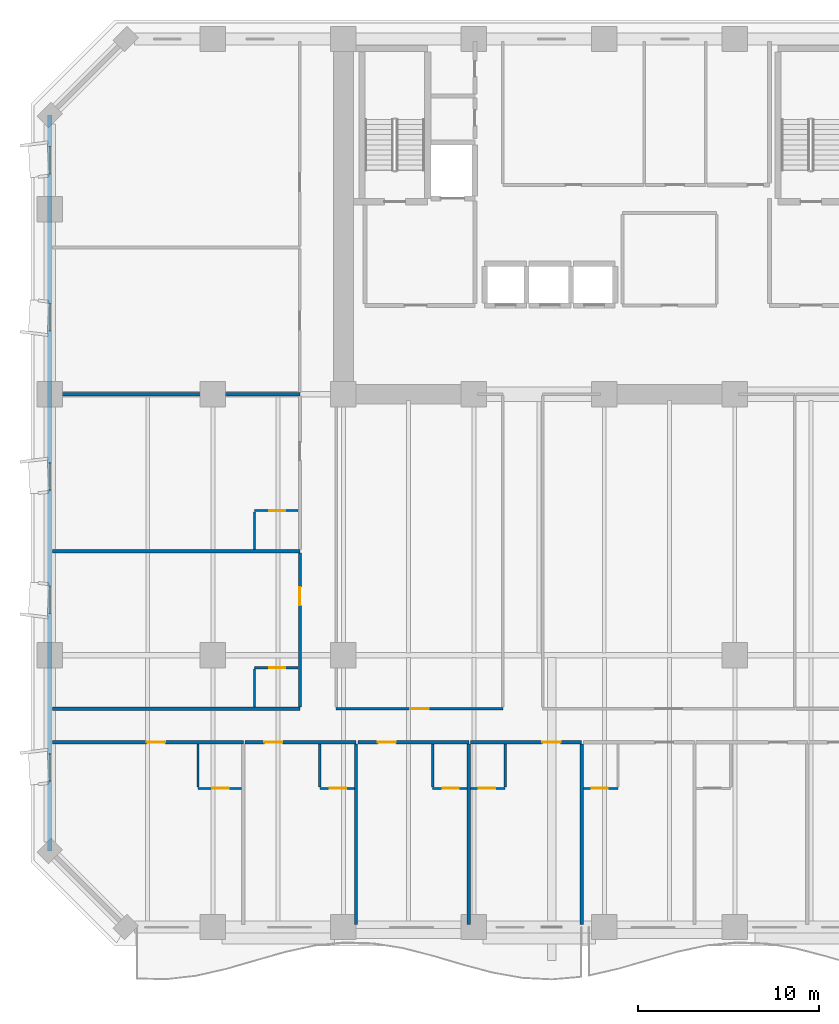
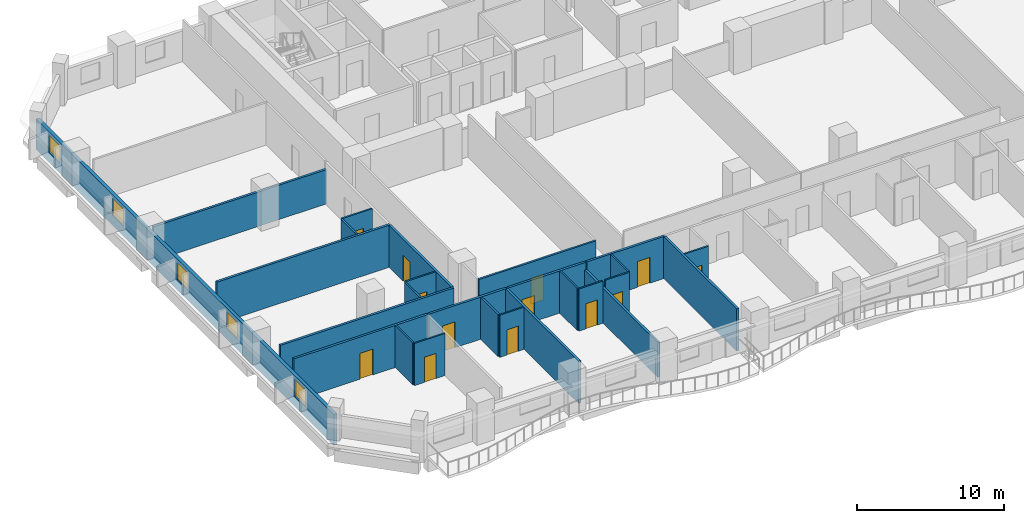
# One storey, part 4 of 15: 26 walls, 13 doors, 5 windows, 18 openings.
"""IFC4 building model written with IfcOpenShell, lengths in metres."""

from ifc_helpers import new_model, si_unit, direction, frame, frame_2d, origin, place, context, subcontext, project, spatial, rectangle, extrude, material, layer, layer_set, type_object, element, fill, save


model = new_model("IFC4")

# Units and contexts
model_context = context("Model", 3, precision=1e-05, world=origin(), true_north=direction((0.0, 1.0)))
body_context = subcontext(model_context, "Body", "Model", "MODEL_VIEW")
ifc_project = project(units=[si_unit("LENGTHUNIT", "METRE"), si_unit("AREAUNIT", "SQUARE_METRE"), si_unit("VOLUMEUNIT", "CUBIC_METRE"), si_unit("PLANEANGLEUNIT", "RADIAN"), si_unit("MASSUNIT", "GRAM", prefix="KILO")], contexts=[model_context])

# Site, building, storey
site_placement = place(None, origin())
site = spatial("IfcSite", under=ifc_project, at=site_placement, CompositionType="ELEMENT")
building_placement = place(site_placement, origin())
building = spatial("IfcBuilding", under=site, at=building_placement, Name="Kaelvorn Grand Hotel", CompositionType="ELEMENT")
storey_placement = place(building_placement, frame((0.0, 0.0, 42.64990234375)))
storey = spatial("IfcBuildingStorey", under=building, at=storey_placement, Name="L08", CompositionType="ELEMENT", Elevation=42.64990234375)

# Wall, openings, windows
ifc_material_1 = material(Name="Concrete C40/50", Category="concrete")
ifc_layer_1 = layer(ifc_material_1, 0.260009765625)
ifc_layer_set_1 = layer_set([ifc_layer_1], Name="Concrete C40/50")
wall_type_1 = type_object("IfcWallType", Name="WL-EXT-260-C40", PredefinedType="SOLIDWALL", material=ifc_layer_set_1)
wall_1_placement = place(storey_placement, frame((0.0, 44.800048828125, 0.0), z_axis=(0.0, 0.0, 1.0), x_axis=(0.0, -1.0, 0.0)))
wall_1 = element("IfcWall", 1, at=wall_1_placement, inside=storey, type_object=wall_type_1, Name="L08 Exterior Architectural Concrete Wall 07", PredefinedType="SOLIDWALL", context=body_context, shape_type="SweptSolid", body=[
    extrude(rectangle(XDim=40.60009765625, YDim=0.260009765625, at=frame_2d((20.300048828125, 0.0))), origin(), (0.0, 0.0, 1.0), 2.56005859375),
])
opening_1_placement = place(wall_1_placement, frame((35.25, 0.0, 0.85009765625)))
opening_1 = element("IfcOpeningElement", 2, at=opening_1_placement, cuts=wall_1, Name="Opening W10", PredefinedType="OPENING", context=body_context, shape_type="SweptSolid", body=[
    extrude(rectangle(XDim=1.5, YDim=1.39990234375, at=frame_2d((0.75, 0.699951171875))), frame((0.0, 0.14013671875, 0.0), z_axis=(0.0, -1.0, 0.0), x_axis=(1.0, 0.0, 0.0)), (0.0, 0.0, 1.0), 0.280029296875),
])
opening_2_placement = place(wall_1_placement, frame((25.985107421875, 0.0, 0.85009765625)))
opening_2 = element("IfcOpeningElement", 3, at=opening_2_placement, cuts=wall_1, Name="Opening W10", PredefinedType="OPENING", context=body_context, shape_type="SweptSolid", body=[
    extrude(rectangle(XDim=1.5, YDim=1.39990234375, at=frame_2d((0.75, 0.699951171875))), frame((0.0, 0.14013671875, 0.0), z_axis=(0.0, -1.0, 0.0), x_axis=(1.0, 0.0, 0.0)), (0.0, 0.0, 1.0), 0.280029296875),
])
opening_3_placement = place(wall_1_placement, frame((19.18505859375, 0.0, 0.85009765625)))
opening_3 = element("IfcOpeningElement", 4, at=opening_3_placement, cuts=wall_1, Name="Opening W10", PredefinedType="OPENING", context=body_context, shape_type="SweptSolid", body=[
    extrude(rectangle(XDim=1.5, YDim=1.39990234375, at=frame_2d((0.75, 0.699951171875))), frame((0.0, 0.14013671875, 0.0), z_axis=(0.0, -1.0, 0.0), x_axis=(1.0, 0.0, 0.0)), (0.0, 0.0, 1.0), 0.280029296875),
])
opening_4_placement = place(wall_1_placement, frame((10.39990234375, 0.0, 0.85009765625)))
opening_4 = element("IfcOpeningElement", 5, at=opening_4_placement, cuts=wall_1, Name="Opening W10", PredefinedType="OPENING", context=body_context, shape_type="SweptSolid", body=[
    extrude(rectangle(XDim=1.5, YDim=1.39990234375, at=frame_2d((0.75, 0.699951171875))), frame((0.0, 0.14013671875, 0.0), z_axis=(0.0, -1.0, 0.0), x_axis=(1.0, 0.0, 0.0)), (0.0, 0.0, 1.0), 0.280029296875),
])
opening_5_placement = place(wall_1_placement, frame((1.735107421875, 0.0, 0.85009765625)))
opening_5 = element("IfcOpeningElement", 6, at=opening_5_placement, cuts=wall_1, Name="Opening W10", PredefinedType="OPENING", context=body_context, shape_type="SweptSolid", body=[
    extrude(rectangle(XDim=1.5, YDim=1.39990234375, at=frame_2d((0.75, 0.699951171875))), frame((0.0, 0.14013671875, 0.0), z_axis=(0.0, -1.0, 0.0), x_axis=(1.0, 0.0, 0.0)), (0.0, 0.0, 1.0), 0.280029296875),
])
ifc_material_2 = material(Name="Laminated Low-E Glass", Category="glass")
window_type = type_object("IfcWindowType", Name="WIN-COR-1500x1400", PartitioningType="SINGLE_PANEL", PredefinedType="WINDOW", material=ifc_material_2)
window_1_placement = place(opening_1_placement, origin())
window_1 = element("IfcWindow", 7, at=window_1_placement, inside=storey, type_object=window_type, Name="L08 W Wing Tilted-Frame Ribbon Window W01", OverallHeight=1.39990234375, OverallWidth=1.5, PartitioningType="SINGLE_PANEL", PredefinedType="WINDOW", context=body_context, shape_type="SweptSolid", body=[
    extrude(rectangle(XDim=1.5, YDim=1.39990234375, at=frame_2d((0.75, 0.699951171875))), frame((0.0, 0.030029296875, 0.0), z_axis=(0.0, -1.0, 0.0), x_axis=(1.0, 0.0, 0.0)), (0.0, 0.0, 1.0), 0.06005859375),
])
fill(opening_1, window_1)
window_2_placement = place(opening_2_placement, origin())
window_2 = element("IfcWindow", 8, at=window_2_placement, inside=storey, type_object=window_type, Name="L08 W Wing Tilted-Frame Ribbon Window W02", OverallHeight=1.39990234375, OverallWidth=1.5, PartitioningType="SINGLE_PANEL", PredefinedType="WINDOW", context=body_context, shape_type="SweptSolid", body=[
    extrude(rectangle(XDim=1.5, YDim=1.39990234375, at=frame_2d((0.75, 0.699951171875))), frame((0.0, 0.030029296875, 0.0), z_axis=(0.0, -1.0, 0.0), x_axis=(1.0, 0.0, 0.0)), (0.0, 0.0, 1.0), 0.06005859375),
])
fill(opening_2, window_2)
window_3_placement = place(opening_3_placement, origin())
window_3 = element("IfcWindow", 9, at=window_3_placement, inside=storey, type_object=window_type, Name="L08 W Wing Tilted-Frame Ribbon Window W03", OverallHeight=1.39990234375, OverallWidth=1.5, PartitioningType="SINGLE_PANEL", PredefinedType="WINDOW", context=body_context, shape_type="SweptSolid", body=[
    extrude(rectangle(XDim=1.5, YDim=1.39990234375, at=frame_2d((0.75, 0.699951171875))), frame((0.0, 0.030029296875, 0.0), z_axis=(0.0, -1.0, 0.0), x_axis=(1.0, 0.0, 0.0)), (0.0, 0.0, 1.0), 0.06005859375),
])
fill(opening_3, window_3)
window_4_placement = place(opening_4_placement, origin())
window_4 = element("IfcWindow", 10, at=window_4_placement, inside=storey, type_object=window_type, Name="L08 W Wing Tilted-Frame Ribbon Window W04", OverallHeight=1.39990234375, OverallWidth=1.5, PartitioningType="SINGLE_PANEL", PredefinedType="WINDOW", context=body_context, shape_type="SweptSolid", body=[
    extrude(rectangle(XDim=1.5, YDim=1.39990234375, at=frame_2d((0.75, 0.699951171875))), frame((0.0, 0.030029296875, 0.0), z_axis=(0.0, -1.0, 0.0), x_axis=(1.0, 0.0, 0.0)), (0.0, 0.0, 1.0), 0.06005859375),
])
fill(opening_4, window_4)
window_5_placement = place(opening_5_placement, origin())
window_5 = element("IfcWindow", 11, at=window_5_placement, inside=storey, type_object=window_type, Name="L08 W Wing Tilted-Frame Ribbon Window W05", OverallHeight=1.39990234375, OverallWidth=1.5, PartitioningType="SINGLE_PANEL", PredefinedType="WINDOW", context=body_context, shape_type="SweptSolid", body=[
    extrude(rectangle(XDim=1.5, YDim=1.39990234375, at=frame_2d((0.75, 0.699951171875))), frame((0.0, 0.030029296875, 0.0), z_axis=(0.0, -1.0, 0.0), x_axis=(1.0, 0.0, 0.0)), (0.0, 0.0, 1.0), 0.06005859375),
])
fill(opening_5, window_5)

# Wall, opening, door
ifc_material_3 = material(Name="Moisture-Resistant Tile & Stud Board")
ifc_layer_2 = layer(ifc_material_3, 0.125)
ifc_layer_set_2 = layer_set([ifc_layer_2], Name="Moisture-Resistant Tile & Stud Board")
wall_type_2 = type_object("IfcWallType", Name="WL-PART-125-WET", PredefinedType="PARTITIONING", material=ifc_layer_set_2)
wall_2_placement = place(storey_placement, frame((8.1748046875, 7.64990234375, 0.0), z_axis=(0.0, 0.0, 1.0), x_axis=(1.0, 0.0, 0.0)))
wall_2 = element("IfcWall", 12, at=wall_2_placement, inside=storey, type_object=wall_type_2, Name="L08 En-suite Bathroom L08-01 S Partition", PredefinedType="PARTITIONING", context=body_context, shape_type="SweptSolid", body=[
    extrude(rectangle(XDim=2.405029296875, YDim=0.125, at=frame_2d((1.20263671875, 0.0))), origin(), (0.0, 0.0, 1.0), 3.510009765625),
])
opening_6_placement = place(wall_2_placement, frame((0.800048828125, 0.0, 0.0)))
opening_6 = element("IfcOpeningElement", 13, at=opening_6_placement, cuts=wall_2, Name="Opening DI4", PredefinedType="OPENING", context=body_context, shape_type="SweptSolid", body=[
    extrude(rectangle(XDim=0.89990234375, YDim=2.10009765625, at=frame_2d((0.449951171875, 1.050048828125))), frame((0.0, 0.072509765625, 0.0), z_axis=(0.0, -1.0, 0.0), x_axis=(1.0, 0.0, 0.0)), (0.0, 0.0, 1.0), 0.14501953125),
])
ifc_material_4 = material(Name="Timber Veneer Leaf", Category="wood")
door_type_1 = type_object("IfcDoorType", Name="DR-INT-BATH-900x2100", OperationType="NOTDEFINED", PredefinedType="DOOR", material=ifc_material_4)
door_1_placement = place(opening_6_placement, origin())
door_1 = element("IfcDoor", 14, at=door_1_placement, inside=storey, type_object=door_type_1, Name="L08 En-suite Bathroom L08-01 Door", OperationType="SINGLE_SWING_RIGHT", OverallHeight=2.10009765625, OverallWidth=0.89990234375, PredefinedType="DOOR", context=body_context, shape_type="SweptSolid", body=[
    extrude(rectangle(XDim=0.89990234375, YDim=2.10009765625, at=frame_2d((0.449951171875, 1.050048828125))), frame((0.0, 0.02490234375, 0.0), z_axis=(0.0, -1.0, 0.0), x_axis=(1.0, 0.0, 0.0)), (0.0, 0.0, 1.0), 0.050048828125),
])
fill(opening_6, door_1)

# Wall
wall_3_placement = place(storey_placement, frame((8.1748046875, 7.717529296875, 0.0), z_axis=(0.0, 0.0, 1.0), x_axis=(0.0, 1.0, 0.0)))
element("IfcWall", 15, at=wall_3_placement, inside=storey, type_object=wall_type_2, Name="L08 En-suite Bathroom L08-01 W Partition", PredefinedType="PARTITIONING", context=body_context, shape_type="SweptSolid", body=[
    extrude(rectangle(XDim=2.387451171875, YDim=0.125, at=frame_2d((1.19384765625, 0.0))), origin(), (0.0, 0.0, 1.0), 3.510009765625),
])

# Wall, opening, door
wall_4_placement = place(storey_placement, frame((14.899658203125, 7.64990234375, 0.0), z_axis=(0.0, 0.0, 1.0), x_axis=(1.0, 0.0, 0.0)))
wall_4 = element("IfcWall", 16, at=wall_4_placement, inside=storey, type_object=wall_type_2, Name="L08 En-suite Bathroom L08-02 S Partition", PredefinedType="PARTITIONING", context=body_context, shape_type="SweptSolid", body=[
    extrude(rectangle(XDim=1.905029296875, YDim=0.125, at=frame_2d((0.95263671875, 0.0))), origin(), (0.0, 0.0, 1.0), 3.510009765625),
])
opening_7_placement = place(wall_4_placement, frame((0.550048828125, 0.0, 0.0)))
opening_7 = element("IfcOpeningElement", 17, at=opening_7_placement, cuts=wall_4, Name="Opening DI4", PredefinedType="OPENING", context=body_context, shape_type="SweptSolid", body=[
    extrude(rectangle(XDim=0.89990234375, YDim=2.10009765625, at=frame_2d((0.449951171875, 1.050048828125))), frame((0.0, 0.072509765625, 0.0), z_axis=(0.0, -1.0, 0.0), x_axis=(1.0, 0.0, 0.0)), (0.0, 0.0, 1.0), 0.14501953125),
])
door_2_placement = place(opening_7_placement, origin())
door_2 = element("IfcDoor", 18, at=door_2_placement, inside=storey, type_object=door_type_1, Name="L08 En-suite Bathroom L08-02 Door", OperationType="SINGLE_SWING_RIGHT", OverallHeight=2.10009765625, OverallWidth=0.89990234375, PredefinedType="DOOR", context=body_context, shape_type="SweptSolid", body=[
    extrude(rectangle(XDim=0.89990234375, YDim=2.10009765625, at=frame_2d((0.449951171875, 1.050048828125))), frame((0.0, 0.02490234375, 0.0), z_axis=(0.0, -1.0, 0.0), x_axis=(1.0, 0.0, 0.0)), (0.0, 0.0, 1.0), 0.050048828125),
])
fill(opening_7, door_2)

# Wall
wall_5_placement = place(storey_placement, frame((14.899658203125, 7.717529296875, 0.0), z_axis=(0.0, 0.0, 1.0), x_axis=(0.0, 1.0, 0.0)))
element("IfcWall", 19, at=wall_5_placement, inside=storey, type_object=wall_type_2, Name="L08 En-suite Bathroom L08-02 W Partition", PredefinedType="PARTITIONING", context=body_context, shape_type="SweptSolid", body=[
    extrude(rectangle(XDim=2.387451171875, YDim=0.125, at=frame_2d((1.19384765625, 0.0))), origin(), (0.0, 0.0, 1.0), 3.510009765625),
])

# Wall, opening, door
wall_6_placement = place(storey_placement, frame((21.12451171875, 7.64990234375, 0.0), z_axis=(0.0, 0.0, 1.0), x_axis=(1.0, 0.0, 0.0)))
wall_6 = element("IfcWall", 20, at=wall_6_placement, inside=storey, type_object=wall_type_2, Name="L08 En-suite Bathroom L08-03 S Partition", PredefinedType="PARTITIONING", context=body_context, shape_type="SweptSolid", body=[
    extrude(rectangle(XDim=1.905029296875, YDim=0.125, at=frame_2d((0.95263671875, 0.0))), origin(), (0.0, 0.0, 1.0), 3.510009765625),
])
opening_8_placement = place(wall_6_placement, frame((0.550048828125, 0.0, 0.0)))
opening_8 = element("IfcOpeningElement", 21, at=opening_8_placement, cuts=wall_6, Name="Opening DI4", PredefinedType="OPENING", context=body_context, shape_type="SweptSolid", body=[
    extrude(rectangle(XDim=0.89990234375, YDim=2.10009765625, at=frame_2d((0.449951171875, 1.050048828125))), frame((0.0, 0.072509765625, 0.0), z_axis=(0.0, -1.0, 0.0), x_axis=(1.0, 0.0, 0.0)), (0.0, 0.0, 1.0), 0.14501953125),
])
door_3_placement = place(opening_8_placement, origin())
door_3 = element("IfcDoor", 22, at=door_3_placement, inside=storey, type_object=door_type_1, Name="L08 En-suite Bathroom L08-03 Door", OperationType="SINGLE_SWING_RIGHT", OverallHeight=2.10009765625, OverallWidth=0.89990234375, PredefinedType="DOOR", context=body_context, shape_type="SweptSolid", body=[
    extrude(rectangle(XDim=0.89990234375, YDim=2.10009765625, at=frame_2d((0.449951171875, 1.050048828125))), frame((0.0, 0.02490234375, 0.0), z_axis=(0.0, -1.0, 0.0), x_axis=(1.0, 0.0, 0.0)), (0.0, 0.0, 1.0), 0.050048828125),
])
fill(opening_8, door_3)

# Wall
wall_7_placement = place(storey_placement, frame((21.12451171875, 7.717529296875, 0.0), z_axis=(0.0, 0.0, 1.0), x_axis=(0.0, 1.0, 0.0)))
element("IfcWall", 23, at=wall_7_placement, inside=storey, type_object=wall_type_2, Name="L08 En-suite Bathroom L08-03 W Partition", PredefinedType="PARTITIONING", context=body_context, shape_type="SweptSolid", body=[
    extrude(rectangle(XDim=2.387451171875, YDim=0.125, at=frame_2d((1.19384765625, 0.0))), origin(), (0.0, 0.0, 1.0), 3.510009765625),
])

# Wall, opening, door
wall_8_placement = place(storey_placement, frame((23.219482421875, 7.64990234375, 0.0), z_axis=(0.0, 0.0, 1.0), x_axis=(1.0, 0.0, 0.0)))
wall_8 = element("IfcWall", 24, at=wall_8_placement, inside=storey, type_object=wall_type_2, Name="L08 En-suite Bathroom L08-04 S Partition", PredefinedType="PARTITIONING", context=body_context, shape_type="SweptSolid", body=[
    extrude(rectangle(XDim=1.905029296875, YDim=0.125, at=frame_2d((0.95263671875, 0.0))), origin(), (0.0, 0.0, 1.0), 3.510009765625),
])
opening_9_placement = place(wall_8_placement, frame((0.455078125, 0.0, 0.0)))
opening_9 = element("IfcOpeningElement", 25, at=opening_9_placement, cuts=wall_8, Name="Opening DI4", PredefinedType="OPENING", context=body_context, shape_type="SweptSolid", body=[
    extrude(rectangle(XDim=0.89990234375, YDim=2.10009765625, at=frame_2d((0.449951171875, 1.050048828125))), frame((0.0, 0.072509765625, 0.0), z_axis=(0.0, -1.0, 0.0), x_axis=(1.0, 0.0, 0.0)), (0.0, 0.0, 1.0), 0.14501953125),
])
door_4_placement = place(opening_9_placement, origin())
door_4 = element("IfcDoor", 26, at=door_4_placement, inside=storey, type_object=door_type_1, Name="L08 En-suite Bathroom L08-04 Door", OperationType="SINGLE_SWING_RIGHT", OverallHeight=2.10009765625, OverallWidth=0.89990234375, PredefinedType="DOOR", context=body_context, shape_type="SweptSolid", body=[
    extrude(rectangle(XDim=0.89990234375, YDim=2.10009765625, at=frame_2d((0.449951171875, 1.050048828125))), frame((0.0, 0.02490234375, 0.0), z_axis=(0.0, -1.0, 0.0), x_axis=(1.0, 0.0, 0.0)), (0.0, 0.0, 1.0), 0.050048828125),
])
fill(opening_9, door_4)

# Wall
wall_9_placement = place(storey_placement, frame((25.12451171875, 7.717529296875, 0.0), z_axis=(0.0, 0.0, 1.0), x_axis=(0.0, 1.0, 0.0)))
element("IfcWall", 27, at=wall_9_placement, inside=storey, type_object=wall_type_2, Name="L08 En-suite Bathroom L08-04 E Partition", PredefinedType="PARTITIONING", context=body_context, shape_type="SweptSolid", body=[
    extrude(rectangle(XDim=2.387451171875, YDim=0.125, at=frame_2d((1.19384765625, 0.0))), origin(), (0.0, 0.0, 1.0), 3.510009765625),
])

# Wall, opening, door
wall_10_placement = place(storey_placement, frame((29.444580078125, 7.64990234375, 0.0), z_axis=(0.0, 0.0, 1.0), x_axis=(1.0, 0.0, 0.0)))
wall_10 = element("IfcWall", 28, at=wall_10_placement, inside=storey, type_object=wall_type_2, Name="L08 En-suite Bathroom L08-05 S Partition", PredefinedType="PARTITIONING", context=body_context, shape_type="SweptSolid", body=[
    extrude(rectangle(XDim=1.905029296875, YDim=0.125, at=frame_2d((0.95263671875, 0.0))), origin(), (0.0, 0.0, 1.0), 3.510009765625),
])
opening_10_placement = place(wall_10_placement, frame((0.455078125, 0.0, 0.0)))
opening_10 = element("IfcOpeningElement", 29, at=opening_10_placement, cuts=wall_10, Name="Opening DI4", PredefinedType="OPENING", context=body_context, shape_type="SweptSolid", body=[
    extrude(rectangle(XDim=0.89990234375, YDim=2.10009765625, at=frame_2d((0.449951171875, 1.050048828125))), frame((0.0, 0.072509765625, 0.0), z_axis=(0.0, -1.0, 0.0), x_axis=(1.0, 0.0, 0.0)), (0.0, 0.0, 1.0), 0.14501953125),
])
door_5_placement = place(opening_10_placement, origin())
door_5 = element("IfcDoor", 30, at=door_5_placement, inside=storey, type_object=door_type_1, Name="L08 En-suite Bathroom L08-05 Door", OperationType="SINGLE_SWING_RIGHT", OverallHeight=2.10009765625, OverallWidth=0.89990234375, PredefinedType="DOOR", context=body_context, shape_type="SweptSolid", body=[
    extrude(rectangle(XDim=0.89990234375, YDim=2.10009765625, at=frame_2d((0.449951171875, 1.050048828125))), frame((0.0, 0.02490234375, 0.0), z_axis=(0.0, -1.0, 0.0), x_axis=(1.0, 0.0, 0.0)), (0.0, 0.0, 1.0), 0.050048828125),
])
fill(opening_10, door_5)

wall_11_placement = place(storey_placement, frame((11.300048828125, 14.31005859375, 0.0), z_axis=(0.0, 0.0, 1.0), x_axis=(1.0, 0.0, 0.0)))
wall_11 = element("IfcWall", 31, at=wall_11_placement, inside=storey, type_object=wall_type_2, Name="L08 En-suite Bathroom L08-13 N Partition", PredefinedType="PARTITIONING", context=body_context, shape_type="SweptSolid", body=[
    extrude(rectangle(XDim=2.405029296875, YDim=0.125, at=frame_2d((1.20263671875, 0.0))), origin(), (0.0, 0.0, 1.0), 3.510009765625),
])
opening_11_placement = place(wall_11_placement, frame((0.800048828125, 0.0, 0.0)))
opening_11 = element("IfcOpeningElement", 32, at=opening_11_placement, cuts=wall_11, Name="Opening DI4", PredefinedType="OPENING", context=body_context, shape_type="SweptSolid", body=[
    extrude(rectangle(XDim=0.89990234375, YDim=2.10009765625, at=frame_2d((0.449951171875, 1.050048828125))), frame((0.0, 0.072509765625, 0.0), z_axis=(0.0, -1.0, 0.0), x_axis=(1.0, 0.0, 0.0)), (0.0, 0.0, 1.0), 0.14501953125),
])
door_6_placement = place(opening_11_placement, origin())
door_6 = element("IfcDoor", 33, at=door_6_placement, inside=storey, type_object=door_type_1, Name="L08 En-suite Bathroom L08-13 Door", OperationType="SINGLE_SWING_RIGHT", OverallHeight=2.10009765625, OverallWidth=0.89990234375, PredefinedType="DOOR", context=body_context, shape_type="SweptSolid", body=[
    extrude(rectangle(XDim=0.89990234375, YDim=2.10009765625, at=frame_2d((0.449951171875, 1.050048828125))), frame((0.0, 0.02490234375, 0.0), z_axis=(0.0, -1.0, 0.0), x_axis=(1.0, 0.0, 0.0)), (0.0, 0.0, 1.0), 0.050048828125),
])
fill(opening_11, door_6)

# Wall
wall_12_placement = place(storey_placement, frame((11.300048828125, 12.14501953125, 0.0), z_axis=(0.0, 0.0, 1.0), x_axis=(0.0, 1.0, 0.0)))
element("IfcWall", 34, at=wall_12_placement, inside=storey, type_object=wall_type_2, Name="L08 En-suite Bathroom L08-13 W Partition", PredefinedType="PARTITIONING", context=body_context, shape_type="SweptSolid", body=[
    extrude(rectangle(XDim=2.097412109375, YDim=0.125, at=frame_2d((1.048828125, 0.0))), origin(), (0.0, 0.0, 1.0), 3.510009765625),
])

# Wall, opening, door
wall_13_placement = place(storey_placement, frame((11.300048828125, 22.97998046875, 0.0), z_axis=(0.0, 0.0, 1.0), x_axis=(1.0, 0.0, 0.0)))
wall_13 = element("IfcWall", 35, at=wall_13_placement, inside=storey, type_object=wall_type_2, Name="L08 En-suite Bathroom L08-14 N Partition", PredefinedType="PARTITIONING", context=body_context, shape_type="SweptSolid", body=[
    extrude(rectangle(XDim=2.405029296875, YDim=0.125, at=frame_2d((1.20263671875, 0.0))), origin(), (0.0, 0.0, 1.0), 3.510009765625),
])
opening_12_placement = place(wall_13_placement, frame((0.800048828125, 0.0, 0.0)))
opening_12 = element("IfcOpeningElement", 36, at=opening_12_placement, cuts=wall_13, Name="Opening DI4", PredefinedType="OPENING", context=body_context, shape_type="SweptSolid", body=[
    extrude(rectangle(XDim=0.89990234375, YDim=2.10009765625, at=frame_2d((0.449951171875, 1.050048828125))), frame((0.0, 0.072509765625, 0.0), z_axis=(0.0, -1.0, 0.0), x_axis=(1.0, 0.0, 0.0)), (0.0, 0.0, 1.0), 0.14501953125),
])
door_7_placement = place(opening_12_placement, origin())
door_7 = element("IfcDoor", 37, at=door_7_placement, inside=storey, type_object=door_type_1, Name="L08 En-suite Bathroom L08-14 Door", OperationType="SINGLE_SWING_RIGHT", OverallHeight=2.10009765625, OverallWidth=0.89990234375, PredefinedType="DOOR", context=body_context, shape_type="SweptSolid", body=[
    extrude(rectangle(XDim=0.89990234375, YDim=2.10009765625, at=frame_2d((0.449951171875, 1.050048828125))), frame((0.0, 0.02490234375, 0.0), z_axis=(0.0, -1.0, 0.0), x_axis=(1.0, 0.0, 0.0)), (0.0, 0.0, 1.0), 0.050048828125),
])
fill(opening_12, door_7)

# Wall
wall_14_placement = place(storey_placement, frame((11.300048828125, 20.824951171875, 0.0), z_axis=(0.0, 0.0, 1.0), x_axis=(0.0, 1.0, 0.0)))
element("IfcWall", 38, at=wall_14_placement, inside=storey, type_object=wall_type_2, Name="L08 En-suite Bathroom L08-14 W Partition", PredefinedType="PARTITIONING", context=body_context, shape_type="SweptSolid", body=[
    extrude(rectangle(XDim=2.087646484375, YDim=0.125, at=frame_2d((1.0439453125, 0.0))), origin(), (0.0, 0.0, 1.0), 3.510009765625),
])

# Wall, opening, door
ifc_material_5 = material(Name="Acoustic Gypsum & Stud Partition")
ifc_layer_3 = layer(ifc_material_5, 0.14990234375)
ifc_layer_set_3 = layer_set([ifc_layer_3], Name="Acoustic Gypsum & Stud Partition")
wall_type_3 = type_object("IfcWallType", Name="WL-PART-150-EI60", PredefinedType="PARTITIONING", material=ifc_layer_set_3)
wall_15_placement = place(storey_placement, frame((15.800048828125, 12.050048828125, 0.0), z_axis=(0.0, 0.0, 1.0), x_axis=(1.0, 0.0, 0.0)))
wall_15 = element("IfcWall", 39, at=wall_15_placement, inside=storey, type_object=wall_type_3, Name="L08 Private Dining Restaurant S Partition", PredefinedType="PARTITIONING", context=body_context, shape_type="SweptSolid", body=[
    extrude(rectangle(XDim=9.199951171875, YDim=0.14990234375, at=frame_2d((4.60009765625, 0.0))), origin(), (0.0, 0.0, 1.0), 3.510009765625),
])
opening_13_placement = place(wall_15_placement, frame((4.10009765625, 0.0, 0.0)))
opening_13 = element("IfcOpeningElement", 40, at=opening_13_placement, cuts=wall_15, Name="Opening DI3", PredefinedType="OPENING", context=body_context, shape_type="SweptSolid", body=[
    extrude(rectangle(XDim=1.0, YDim=2.14990234375, at=frame_2d((0.5, 1.074951171875))), frame((0.0, 0.0849609375, 0.0), z_axis=(0.0, -1.0, 0.0), x_axis=(1.0, 0.0, 0.0)), (0.0, 0.0, 1.0), 0.169921875),
])
ifc_material_6 = material(Name="Timber Veneer Fire Leaf", Category="wood")
door_type_2 = type_object("IfcDoorType", Name="DR-INT-GUEST-1000x2150", OperationType="NOTDEFINED", PredefinedType="DOOR", material=ifc_material_6)
door_8_placement = place(opening_13_placement, origin())
door_8 = element("IfcDoor", 41, at=door_8_placement, inside=storey, type_object=door_type_2, Name="L08 Private Dining Restaurant Door", OperationType="SINGLE_SWING_LEFT", OverallHeight=2.14990234375, OverallWidth=1.0, PredefinedType="DOOR", context=body_context, shape_type="SweptSolid", body=[
    extrude(rectangle(XDim=1.0, YDim=2.14990234375, at=frame_2d((0.5, 1.074951171875))), frame((0.0, 0.02490234375, 0.0), z_axis=(0.0, -1.0, 0.0), x_axis=(1.0, 0.0, 0.0)), (0.0, 0.0, 1.0), 0.050048828125),
])
fill(opening_13, door_8)

ifc_layer_4 = layer(ifc_material_5, 0.179931640625)
ifc_layer_set_4 = layer_set([ifc_layer_4], Name="Acoustic Gypsum & Stud Partition")
wall_type_4 = type_object("IfcWallType", Name="WL-PART-180-EI60", PredefinedType="PARTITIONING", material=ifc_layer_set_4)
wall_16_placement = place(storey_placement, frame((0.14990234375, 10.199951171875, 0.0), z_axis=(0.0, 0.0, 1.0), x_axis=(1.0, 0.0, 0.0)))
wall_16 = element("IfcWall", 42, at=wall_16_placement, inside=storey, type_object=wall_type_4, Name="L08 Deluxe Panoramic Suite L08-01 N Partition", PredefinedType="PARTITIONING", context=body_context, shape_type="SweptSolid", body=[
    extrude(rectangle(XDim=10.52490234375, YDim=0.179931640625, at=frame_2d((5.262451171875, 0.0))), origin(), (0.0, 0.0, 1.0), 3.510009765625),
])
opening_14_placement = place(wall_16_placement, frame((5.21240234375, 0.0, 0.0)))
opening_14 = element("IfcOpeningElement", 43, at=opening_14_placement, cuts=wall_16, Name="Opening DI3", PredefinedType="OPENING", context=body_context, shape_type="SweptSolid", body=[
    extrude(rectangle(XDim=1.0, YDim=2.14990234375, at=frame_2d((0.5, 1.074951171875))), frame((0.0, 0.10009765625, 0.0), z_axis=(0.0, -1.0, 0.0), x_axis=(1.0, 0.0, 0.0)), (0.0, 0.0, 1.0), 0.199951171875),
])
door_9_placement = place(opening_14_placement, origin())
door_9 = element("IfcDoor", 44, at=door_9_placement, inside=storey, type_object=door_type_2, Name="L08 Deluxe Panoramic Suite L08-01 Door", OperationType="SINGLE_SWING_LEFT", OverallHeight=2.14990234375, OverallWidth=1.0, PredefinedType="DOOR", context=body_context, shape_type="SweptSolid", body=[
    extrude(rectangle(XDim=1.0, YDim=2.14990234375, at=frame_2d((0.5, 1.074951171875))), frame((0.0, 0.02490234375, 0.0), z_axis=(0.0, -1.0, 0.0), x_axis=(1.0, 0.0, 0.0)), (0.0, 0.0, 1.0), 0.050048828125),
])
fill(opening_14, door_9)

wall_17_placement = place(storey_placement, frame((10.77001953125, 10.199951171875, 0.0), z_axis=(0.0, 0.0, 1.0), x_axis=(1.0, 0.0, 0.0)))
wall_17 = element("IfcWall", 45, at=wall_17_placement, inside=storey, type_object=wall_type_4, Name="L08 Deluxe King Guest Room L08-02 N Partition", PredefinedType="PARTITIONING", context=body_context, shape_type="SweptSolid", body=[
    extrude(rectangle(XDim=6.129638671875, YDim=0.179931640625, at=frame_2d((3.06494140625, 0.0))), origin(), (0.0, 0.0, 1.0), 3.510009765625),
])
opening_15_placement = place(wall_17_placement, frame((1.0673828125, 0.0, 0.0)))
opening_15 = element("IfcOpeningElement", 46, at=opening_15_placement, cuts=wall_17, Name="Opening DI3", PredefinedType="OPENING", context=body_context, shape_type="SweptSolid", body=[
    extrude(rectangle(XDim=1.0, YDim=2.14990234375, at=frame_2d((0.5, 1.074951171875))), frame((0.0, 0.10009765625, 0.0), z_axis=(0.0, -1.0, 0.0), x_axis=(1.0, 0.0, 0.0)), (0.0, 0.0, 1.0), 0.199951171875),
])
door_10_placement = place(opening_15_placement, origin())
door_10 = element("IfcDoor", 47, at=door_10_placement, inside=storey, type_object=door_type_2, Name="L08 Deluxe King Guest Room L08-02 Door", OperationType="SINGLE_SWING_LEFT", OverallHeight=2.14990234375, OverallWidth=1.0, PredefinedType="DOOR", context=body_context, shape_type="SweptSolid", body=[
    extrude(rectangle(XDim=1.0, YDim=2.14990234375, at=frame_2d((0.5, 1.074951171875))), frame((0.0, 0.02490234375, 0.0), z_axis=(0.0, -1.0, 0.0), x_axis=(1.0, 0.0, 0.0)), (0.0, 0.0, 1.0), 0.050048828125),
])
fill(opening_15, door_10)

# Wall
wall_18_placement = place(storey_placement, frame((16.899658203125, 0.14990234375, 0.0), z_axis=(0.0, 0.0, 1.0), x_axis=(0.0, 1.0, 0.0)))
element("IfcWall", 48, at=wall_18_placement, inside=storey, type_object=wall_type_4, Name="L08 Deluxe King Guest Room L08-02 E Partition", PredefinedType="PARTITIONING", context=body_context, shape_type="SweptSolid", body=[
    extrude(rectangle(XDim=9.955078125, YDim=0.179931640625, at=frame_2d((4.9775390625, 0.0))), origin(), (0.0, 0.0, 1.0), 3.510009765625),
])

# Wall, opening, door
wall_19_placement = place(storey_placement, frame((16.99462890625, 10.199951171875, 0.0), z_axis=(0.0, 0.0, 1.0), x_axis=(1.0, 0.0, 0.0)))
wall_19 = element("IfcWall", 49, at=wall_19_placement, inside=storey, type_object=wall_type_4, Name="L08 Deluxe Panoramic Suite L08-03 N Partition", PredefinedType="PARTITIONING", context=body_context, shape_type="SweptSolid", body=[
    extrude(rectangle(XDim=6.1298828125, YDim=0.179931640625, at=frame_2d((3.06494140625, 0.0))), origin(), (0.0, 0.0, 1.0), 3.510009765625),
])
opening_16_placement = place(wall_19_placement, frame((1.107666015625, 0.0, 0.0)))
opening_16 = element("IfcOpeningElement", 50, at=opening_16_placement, cuts=wall_19, Name="Opening DI3", PredefinedType="OPENING", context=body_context, shape_type="SweptSolid", body=[
    extrude(rectangle(XDim=1.0, YDim=2.14990234375, at=frame_2d((0.5, 1.074951171875))), frame((0.0, 0.10009765625, 0.0), z_axis=(0.0, -1.0, 0.0), x_axis=(1.0, 0.0, 0.0)), (0.0, 0.0, 1.0), 0.199951171875),
])
door_11_placement = place(opening_16_placement, origin())
door_11 = element("IfcDoor", 51, at=door_11_placement, inside=storey, type_object=door_type_2, Name="L08 Deluxe Panoramic Suite L08-03 Door", OperationType="SINGLE_SWING_LEFT", OverallHeight=2.14990234375, OverallWidth=1.0, PredefinedType="DOOR", context=body_context, shape_type="SweptSolid", body=[
    extrude(rectangle(XDim=1.0, YDim=2.14990234375, at=frame_2d((0.5, 1.074951171875))), frame((0.0, 0.02490234375, 0.0), z_axis=(0.0, -1.0, 0.0), x_axis=(1.0, 0.0, 0.0)), (0.0, 0.0, 1.0), 0.050048828125),
])
fill(opening_16, door_11)

# Wall
wall_20_placement = place(storey_placement, frame((23.12451171875, 0.14990234375, 0.0), z_axis=(0.0, 0.0, 1.0), x_axis=(0.0, 1.0, 0.0)))
element("IfcWall", 52, at=wall_20_placement, inside=storey, type_object=wall_type_4, Name="L08 Deluxe Panoramic Suite L08-03 E Partition", PredefinedType="PARTITIONING", context=body_context, shape_type="SweptSolid", body=[
    extrude(rectangle(XDim=9.955078125, YDim=0.179931640625, at=frame_2d((4.9775390625, 0.0))), origin(), (0.0, 0.0, 1.0), 2.89794921875),
])

# Wall, opening, door
wall_21_placement = place(storey_placement, frame((23.219482421875, 10.199951171875, 0.0), z_axis=(0.0, 0.0, 1.0), x_axis=(1.0, 0.0, 0.0)))
wall_21 = element("IfcWall", 53, at=wall_21_placement, inside=storey, type_object=wall_type_4, Name="L08 Deluxe King Guest Room L08-04 N Partition", PredefinedType="PARTITIONING", context=body_context, shape_type="SweptSolid", body=[
    extrude(rectangle(XDim=6.130126953125, YDim=0.179931640625, at=frame_2d((3.06494140625, 0.0))), origin(), (0.0, 0.0, 1.0), 3.510009765625),
])
opening_17_placement = place(wall_21_placement, frame((3.96728515625, 0.0, 0.0)))
opening_17 = element("IfcOpeningElement", 54, at=opening_17_placement, cuts=wall_21, Name="Opening DI3", PredefinedType="OPENING", context=body_context, shape_type="SweptSolid", body=[
    extrude(rectangle(XDim=1.0, YDim=2.14990234375, at=frame_2d((0.5, 1.074951171875))), frame((0.0, 0.10009765625, 0.0), z_axis=(0.0, -1.0, 0.0), x_axis=(1.0, 0.0, 0.0)), (0.0, 0.0, 1.0), 0.199951171875),
])
door_12_placement = place(opening_17_placement, origin())
door_12 = element("IfcDoor", 55, at=door_12_placement, inside=storey, type_object=door_type_2, Name="L08 Deluxe King Guest Room L08-04 Door", OperationType="SINGLE_SWING_LEFT", OverallHeight=2.14990234375, OverallWidth=1.0, PredefinedType="DOOR", context=body_context, shape_type="SweptSolid", body=[
    extrude(rectangle(XDim=1.0, YDim=2.14990234375, at=frame_2d((0.5, 1.074951171875))), frame((0.0, 0.02490234375, 0.0), z_axis=(0.0, -1.0, 0.0), x_axis=(1.0, 0.0, 0.0)), (0.0, 0.0, 1.0), 0.050048828125),
])
fill(opening_17, door_12)

# Walls
wall_22_placement = place(storey_placement, frame((29.349609375, 0.14990234375, 0.0), z_axis=(0.0, 0.0, 1.0), x_axis=(0.0, 1.0, 0.0)))
element("IfcWall", 56, at=wall_22_placement, inside=storey, type_object=wall_type_4, Name="L08 Deluxe King Guest Room L08-04 E Partition", PredefinedType="PARTITIONING", context=body_context, shape_type="SweptSolid", body=[
    extrude(rectangle(XDim=9.955078125, YDim=0.179931640625, at=frame_2d((4.9775390625, 0.0))), origin(), (0.0, 0.0, 1.0), 3.510009765625),
])
for number, where, z_axis, x_axis, name in (
    (57, (0.14990234375, 12.050048828125, 0.0), (0.0, 0.0, 1.0), (1.0, 0.0, 0.0), "L08 West Wing Panoramic Suite L08-13 S Partition"),
    (58, (0.14990234375, 20.72998046875, 0.0), (0.0, 0.0, 1.0), (1.0, 0.0, 0.0), "L08 West Wing Panoramic Suite L08-13 N Partition"),
):
    element("IfcWall", number, at=place(storey_placement, frame(where, z_axis=z_axis, x_axis=x_axis)), inside=storey, type_object=wall_type_4, Name=name, PredefinedType="PARTITIONING", context=body_context, shape_type="SweptSolid", body=[
        extrude(rectangle(XDim=13.650146484375, YDim=0.179931640625, at=frame_2d((6.8251953125, 0.0))), origin(), (0.0, 0.0, 1.0), 3.510009765625),
    ])

# Wall, opening, door
wall_23_placement = place(storey_placement, frame((13.800048828125, 12.14501953125, 0.0), z_axis=(0.0, 0.0, 1.0), x_axis=(0.0, 1.0, 0.0)))
wall_23 = element("IfcWall", 59, at=wall_23_placement, inside=storey, type_object=wall_type_4, Name="L08 West Wing Panoramic Suite L08-13 E Partition", PredefinedType="PARTITIONING", context=body_context, shape_type="SweptSolid", body=[
    extrude(rectangle(XDim=8.489990234375, YDim=0.179931640625, at=frame_2d((4.2451171875, 0.0))), origin(), (0.0, 0.0, 1.0), 3.510009765625),
])
opening_18_placement = place(wall_23_placement, frame((5.610107421875, 0.0, 0.0)))
opening_18 = element("IfcOpeningElement", 60, at=opening_18_placement, cuts=wall_23, Name="Opening DI3", PredefinedType="OPENING", context=body_context, shape_type="SweptSolid", body=[
    extrude(rectangle(XDim=1.0, YDim=2.14990234375, at=frame_2d((0.5, 1.074951171875))), frame((0.0, 0.10009765625, 0.0), z_axis=(0.0, -1.0, 0.0), x_axis=(1.0, 0.0, 0.0)), (0.0, 0.0, 1.0), 0.199951171875),
])
door_13_placement = place(opening_18_placement, origin())
door_13 = element("IfcDoor", 61, at=door_13_placement, inside=storey, type_object=door_type_2, Name="L08 West Wing Panoramic Suite L08-13 Door", OperationType="SINGLE_SWING_LEFT", OverallHeight=2.14990234375, OverallWidth=1.0, PredefinedType="DOOR", context=body_context, shape_type="SweptSolid", body=[
    extrude(rectangle(XDim=1.0, YDim=2.14990234375, at=frame_2d((0.5, 1.074951171875))), frame((0.0, 0.02490234375, 0.0), z_axis=(0.0, -1.0, 0.0), x_axis=(1.0, 0.0, 0.0)), (0.0, 0.0, 1.0), 0.050048828125),
])
fill(opening_18, door_13)

# Wall
wall_24_placement = place(storey_placement, frame((0.14990234375, 29.39990234375, 0.0), z_axis=(0.0, 0.0, 1.0), x_axis=(1.0, 0.0, 0.0)))
element("IfcWall", 62, at=wall_24_placement, inside=storey, type_object=wall_type_4, Name="L08 West Mid-Wing Suite L08-14 N Partition", PredefinedType="PARTITIONING", context=body_context, shape_type="SweptSolid", body=[
    extrude(rectangle(XDim=13.650146484375, YDim=0.179931640625, at=frame_2d((6.8251953125, 0.0))), origin(), (0.0, 0.0, 1.0), 2.860107421875),
])

save(model, "model.ifc")
